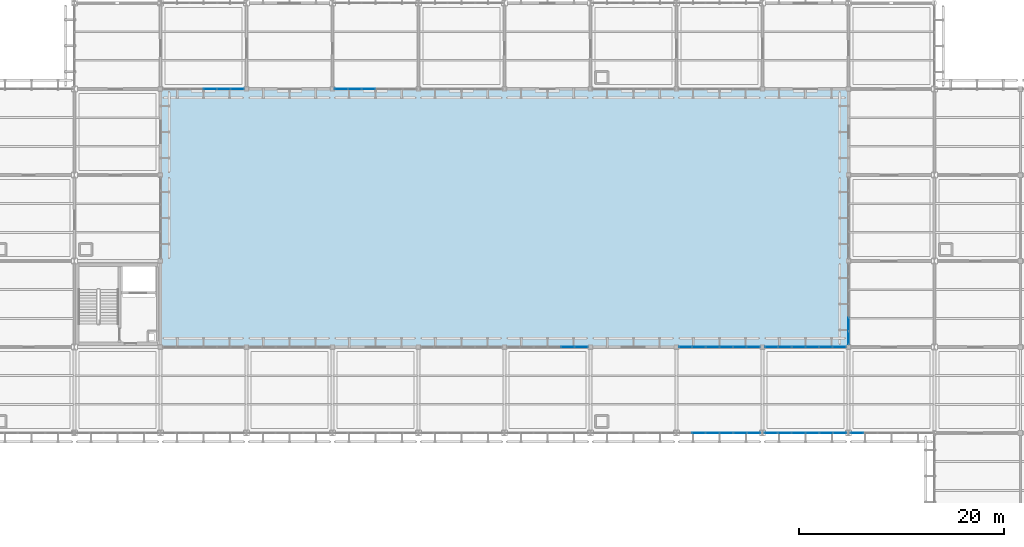
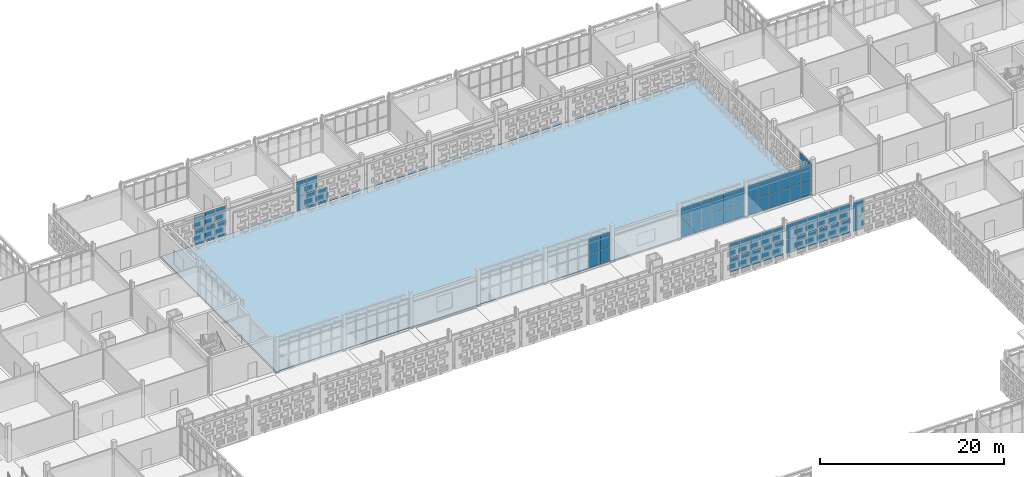
# One storey, part 99 of 203: 67 plates, 1 slab, 9 elements without a shape of their own.
"""IFC4 building model written with IfcOpenShell, lengths in metres."""

from ifc_helpers import new_model, si_unit, direction, frame, origin, origin_2d, place, context, subcontext, project, spatial, polyline, rectangle, outline, extrude, material, layer, layer_set, type_object, element, aggregate, save


model = new_model("IFC4")

# Units and contexts
model_context = context("Model", 3, precision=1e-05, world=origin(), true_north=direction((0.0, 1.0)))
body_context = subcontext(model_context, "Body", "Model", "MODEL_VIEW")
ifc_project = project(units=[si_unit("LENGTHUNIT", "METRE"), si_unit("AREAUNIT", "SQUARE_METRE"), si_unit("VOLUMEUNIT", "CUBIC_METRE"), si_unit("PLANEANGLEUNIT", "RADIAN"), si_unit("MASSUNIT", "GRAM", prefix="KILO")], contexts=[model_context])

# Site, building, storey
site_placement = place(None, origin())
site = spatial("IfcSite", under=ifc_project, at=site_placement, CompositionType="ELEMENT")
building_placement = place(site_placement, origin())
building = spatial("IfcBuilding", under=site, at=building_placement, Name="Varnapada Polytechnic", CompositionType="ELEMENT")
storey_placement = place(building_placement, frame((0.0, 0.0, 4.800048828125)))
storey = spatial("IfcBuildingStorey", under=building, at=storey_placement, Name="L01", CompositionType="ELEMENT", Elevation=4.800048828125)

# Curtain wall, plates
ifc_material_1 = material(Name="Double low-E laminated glass", Category="glass")
ifc_layer_1 = layer(ifc_material_1, 0.159912109375)
ifc_layer_set_1 = layer_set([ifc_layer_1], Name="Double low-E laminated glass")
curtain_wall_type_1 = type_object("IfcCurtainWallType", Name="Curtain Wall CW-02", PredefinedType="NOTDEFINED", material=ifc_layer_set_1)
curtain_wall_1_placement = place(storey_placement, origin())
curtain_wall_1 = element("IfcCurtainWall", 1, at=curtain_wall_1_placement, inside=storey, type_object=curtain_wall_type_1, Name="L01 unitised curtain wall CW-02 (59)", PredefinedType="NOTDEFINED")
ifc_layer_2 = layer(ifc_material_1, 0.028076171875)
ifc_layer_set_2 = layer_set([ifc_layer_2], Name="Double low-E laminated glass")
plate_type = type_object("IfcPlateType", Name="Curtain Panel PNL-01", PredefinedType="CURTAIN_PANEL", material=ifc_layer_set_2)
plate_1_placement = place(storey_placement, frame((66.31005859375, 117.60009765625, 0.06005859375), z_axis=(0.0, 0.0, 1.0), x_axis=(-1.0, 0.0, 0.0)))
plate_1 = element("IfcPlate", 2, at=plate_1_placement, type_object=plate_type, Name="CW-02 panel 1.1", PredefinedType="CURTAIN_PANEL", context=body_context, shape_type="SweptSolid", body=[
    extrude(rectangle(XDim=1.239990234375, YDim=0.028076171875, at=origin_2d()), origin(), (0.0, 0.0, 1.0), 1.810791015625),
])
plate_2_placement = place(storey_placement, frame((66.31005859375, 117.60009765625, 1.9306640625), z_axis=(0.0, 0.0, 1.0), x_axis=(-1.0, 0.0, 0.0)))
plate_2 = element("IfcPlate", 3, at=plate_2_placement, type_object=plate_type, Name="CW-02 panel 1.2", PredefinedType="CURTAIN_PANEL", context=body_context, shape_type="SweptSolid", body=[
    extrude(rectangle(XDim=1.239990234375, YDim=0.028076171875, at=origin_2d()), origin(), (0.0, 0.0, 1.0), 1.96923828125),
])
plate_3_placement = place(storey_placement, frame((64.9951171875, 117.60009765625, 0.06005859375), z_axis=(0.0, 0.0, 1.0), x_axis=(-1.0, 0.0, 0.0)))
plate_3 = element("IfcPlate", 4, at=plate_3_placement, type_object=plate_type, Name="CW-02 panel 2.1", PredefinedType="CURTAIN_PANEL", context=body_context, shape_type="SweptSolid", body=[
    extrude(rectangle(XDim=1.27001953125, YDim=0.028076171875, at=origin_2d()), origin(), (0.0, 0.0, 1.0), 1.810791015625),
])
plate_4_placement = place(storey_placement, frame((64.9951171875, 117.60009765625, 1.9306640625), z_axis=(0.0, 0.0, 1.0), x_axis=(-1.0, 0.0, 0.0)))
plate_4 = element("IfcPlate", 5, at=plate_4_placement, type_object=plate_type, Name="CW-02 panel 2.2", PredefinedType="CURTAIN_PANEL", context=body_context, shape_type="SweptSolid", body=[
    extrude(rectangle(XDim=1.27001953125, YDim=0.028076171875, at=origin_2d()), origin(), (0.0, 0.0, 1.0), 1.96923828125),
])
plate_5_placement = place(storey_placement, frame((63.6650390625, 117.60009765625, 0.06005859375), z_axis=(0.0, 0.0, 1.0), x_axis=(-1.0, 0.0, 0.0)))
plate_5 = element("IfcPlate", 6, at=plate_5_placement, type_object=plate_type, Name="CW-02 panel 3.1", PredefinedType="CURTAIN_PANEL", context=body_context, shape_type="SweptSolid", body=[
    extrude(rectangle(XDim=1.27001953125, YDim=0.028076171875, at=origin_2d()), origin(), (0.0, 0.0, 1.0), 1.810791015625),
])
plate_6_placement = place(storey_placement, frame((63.6650390625, 117.60009765625, 1.9306640625), z_axis=(0.0, 0.0, 1.0), x_axis=(-1.0, 0.0, 0.0)))
plate_6 = element("IfcPlate", 7, at=plate_6_placement, type_object=plate_type, Name="CW-02 panel 3.2", PredefinedType="CURTAIN_PANEL", context=body_context, shape_type="SweptSolid", body=[
    extrude(rectangle(XDim=1.27001953125, YDim=0.028076171875, at=origin_2d()), origin(), (0.0, 0.0, 1.0), 1.96923828125),
])
aggregate(curtain_wall_1, [plate_1, plate_2, plate_3, plate_4, plate_5, plate_6])

curtain_wall_2_placement = place(storey_placement, origin())
curtain_wall_2 = element("IfcCurtainWall", 8, at=curtain_wall_2_placement, inside=storey, type_object=curtain_wall_type_1, Name="L01 unitised curtain wall CW-02 (67)", PredefinedType="NOTDEFINED")
plate_7_placement = place(storey_placement, frame((79.1298828125, 117.60009765625, 0.06005859375), z_axis=(0.0, 0.0, 1.0), x_axis=(-1.0, 0.0, 0.0)))
plate_7 = element("IfcPlate", 9, at=plate_7_placement, type_object=plate_type, Name="CW-02 panel 4.1", PredefinedType="CURTAIN_PANEL", context=body_context, shape_type="SweptSolid", body=[
    extrude(rectangle(XDim=1.280029296875, YDim=0.028076171875, at=origin_2d()), origin(), (0.0, 0.0, 1.0), 1.810791015625),
])
plate_8_placement = place(storey_placement, frame((77.7900390625, 117.60009765625, 0.06005859375), z_axis=(0.0, 0.0, 1.0), x_axis=(-1.0, 0.0, 0.0)))
plate_8 = element("IfcPlate", 10, at=plate_8_placement, type_object=plate_type, Name="CW-02 panel 5.1", PredefinedType="CURTAIN_PANEL", context=body_context, shape_type="SweptSolid", body=[
    extrude(rectangle(XDim=1.280029296875, YDim=0.028076171875, at=origin_2d()), origin(), (0.0, 0.0, 1.0), 1.810791015625),
])
plate_9_placement = place(storey_placement, frame((77.7900390625, 117.60009765625, 1.9306640625), z_axis=(0.0, 0.0, 1.0), x_axis=(-1.0, 0.0, 0.0)))
plate_9 = element("IfcPlate", 11, at=plate_9_placement, type_object=plate_type, Name="CW-02 panel 5.2", PredefinedType="CURTAIN_PANEL", context=body_context, shape_type="SweptSolid", body=[
    extrude(rectangle(XDim=1.280029296875, YDim=0.028076171875, at=origin_2d()), origin(), (0.0, 0.0, 1.0), 1.96923828125),
])
plate_10_placement = place(storey_placement, frame((76.465087890625, 117.60009765625, 0.06005859375), z_axis=(0.0, 0.0, 1.0), x_axis=(-1.0, 0.0, 0.0)))
plate_10 = element("IfcPlate", 12, at=plate_10_placement, type_object=plate_type, Name="CW-02 panel 6.1", PredefinedType="CURTAIN_PANEL", context=body_context, shape_type="SweptSolid", body=[
    extrude(rectangle(XDim=1.25, YDim=0.028076171875, at=origin_2d()), origin(), (0.0, 0.0, 1.0), 1.810791015625),
])
plate_11_placement = place(storey_placement, frame((76.465087890625, 117.60009765625, 1.9306640625), z_axis=(0.0, 0.0, 1.0), x_axis=(-1.0, 0.0, 0.0)))
plate_11 = element("IfcPlate", 13, at=plate_11_placement, type_object=plate_type, Name="CW-02 panel 6.2", PredefinedType="CURTAIN_PANEL", context=body_context, shape_type="SweptSolid", body=[
    extrude(rectangle(XDim=1.25, YDim=0.028076171875, at=origin_2d()), origin(), (0.0, 0.0, 1.0), 1.96923828125),
])
aggregate(curtain_wall_2, [plate_7, plate_8, plate_9, plate_10, plate_11])

curtain_wall_3_placement = place(storey_placement, origin())
curtain_wall_3 = element("IfcCurtainWall", 14, at=curtain_wall_3_placement, inside=storey, type_object=curtain_wall_type_1, Name="L01 unitised curtain wall CW-02 (77)", PredefinedType="NOTDEFINED")
plate_12_placement = place(storey_placement, frame((98.594970703125, 92.39990234375, 0.06005859375), z_axis=(0.0, 0.0, 1.0), x_axis=(1.0, 0.0, 0.0)))
plate_12 = element("IfcPlate", 15, at=plate_12_placement, type_object=plate_type, Name="CW-02 panel 5.1", PredefinedType="CURTAIN_PANEL", context=body_context, shape_type="SweptSolid", body=[
    extrude(rectangle(XDim=1.27001953125, YDim=0.028076171875, at=origin_2d()), origin(), (0.0, 0.0, 1.0), 1.810791015625),
])
plate_13_placement = place(storey_placement, frame((98.594970703125, 92.39990234375, 1.9306640625), z_axis=(0.0, 0.0, 1.0), x_axis=(1.0, 0.0, 0.0)))
plate_13 = element("IfcPlate", 16, at=plate_13_placement, type_object=plate_type, Name="CW-02 panel 5.2", PredefinedType="CURTAIN_PANEL", context=body_context, shape_type="SweptSolid", body=[
    extrude(rectangle(XDim=1.27001953125, YDim=0.028076171875, at=origin_2d()), origin(), (0.0, 0.0, 1.0), 1.96923828125),
])
plate_14_placement = place(storey_placement, frame((99.909912109375, 92.39990234375, 0.06005859375), z_axis=(0.0, 0.0, 1.0), x_axis=(1.0, 0.0, 0.0)))
plate_14 = element("IfcPlate", 17, at=plate_14_placement, type_object=plate_type, Name="CW-02 panel 6.1", PredefinedType="CURTAIN_PANEL", context=body_context, shape_type="SweptSolid", body=[
    extrude(rectangle(XDim=1.239990234375, YDim=0.028076171875, at=origin_2d()), origin(), (0.0, 0.0, 1.0), 1.810791015625),
])
plate_15_placement = place(storey_placement, frame((99.909912109375, 92.39990234375, 1.9306640625), z_axis=(0.0, 0.0, 1.0), x_axis=(1.0, 0.0, 0.0)))
plate_15 = element("IfcPlate", 18, at=plate_15_placement, type_object=plate_type, Name="CW-02 panel 6.2", PredefinedType="CURTAIN_PANEL", context=body_context, shape_type="SweptSolid", body=[
    extrude(rectangle(XDim=1.239990234375, YDim=0.028076171875, at=origin_2d()), origin(), (0.0, 0.0, 1.0), 1.96923828125),
])
aggregate(curtain_wall_3, [plate_12, plate_13, plate_14, plate_15])

ifc_layer_3 = layer(ifc_material_1, 0.159912109375)
ifc_layer_set_3 = layer_set([ifc_layer_3], Name="Double low-E laminated glass")
curtain_wall_type_2 = type_object("IfcCurtainWallType", Name="Curtain Wall CW-01", PredefinedType="NOTDEFINED", material=ifc_layer_set_3)
curtain_wall_4_placement = place(storey_placement, origin())
curtain_wall_4 = element("IfcCurtainWall", 19, at=curtain_wall_4_placement, inside=storey, type_object=curtain_wall_type_2, Name="L01 unitised curtain wall CW-01 (85)", PredefinedType="NOTDEFINED")
plate_16_placement = place(storey_placement, frame((116.760009765625, 84.0, 0.06005859375), z_axis=(0.0, 0.0, 1.0), x_axis=(-1.0, 0.0, 0.0)))
plate_16 = element("IfcPlate", 20, at=plate_16_placement, type_object=plate_type, Name="CW-01 panel 1.1", PredefinedType="CURTAIN_PANEL", context=body_context, shape_type="SweptSolid", body=[
    extrude(rectangle(XDim=1.260009765625, YDim=0.028076171875, at=origin_2d()), origin(), (0.0, 0.0, 1.0), 1.810791015625),
])
plate_17_placement = place(storey_placement, frame((116.760009765625, 84.0, 1.9306640625), z_axis=(0.0, 0.0, 1.0), x_axis=(-1.0, 0.0, 0.0)))
plate_17 = element("IfcPlate", 21, at=plate_17_placement, type_object=plate_type, Name="CW-01 panel 1.2", PredefinedType="CURTAIN_PANEL", context=body_context, shape_type="SweptSolid", body=[
    extrude(rectangle(XDim=1.260009765625, YDim=0.028076171875, at=origin_2d()), origin(), (0.0, 0.0, 1.0), 1.96923828125),
])
plate_18_placement = place(storey_placement, frame((115.425048828125, 84.0, 0.06005859375), z_axis=(0.0, 0.0, 1.0), x_axis=(-1.0, 0.0, 0.0)))
plate_18 = element("IfcPlate", 22, at=plate_18_placement, type_object=plate_type, Name="CW-01 panel 2.1", PredefinedType="CURTAIN_PANEL", context=body_context, shape_type="SweptSolid", body=[
    extrude(rectangle(XDim=1.2900390625, YDim=0.028076171875, at=origin_2d()), origin(), (0.0, 0.0, 1.0), 1.810791015625),
])
plate_19_placement = place(storey_placement, frame((115.425048828125, 84.0, 1.9306640625), z_axis=(0.0, 0.0, 1.0), x_axis=(-1.0, 0.0, 0.0)))
plate_19 = element("IfcPlate", 23, at=plate_19_placement, type_object=plate_type, Name="CW-01 panel 2.2", PredefinedType="CURTAIN_PANEL", context=body_context, shape_type="SweptSolid", body=[
    extrude(rectangle(XDim=1.2900390625, YDim=0.028076171875, at=origin_2d()), origin(), (0.0, 0.0, 1.0), 1.96923828125),
])
plate_20_placement = place(storey_placement, frame((114.074951171875, 84.0, 0.06005859375), z_axis=(0.0, 0.0, 1.0), x_axis=(-1.0, 0.0, 0.0)))
plate_20 = element("IfcPlate", 24, at=plate_20_placement, type_object=plate_type, Name="CW-01 panel 3.1", PredefinedType="CURTAIN_PANEL", context=body_context, shape_type="SweptSolid", body=[
    extrude(rectangle(XDim=1.2900390625, YDim=0.028076171875, at=origin_2d()), origin(), (0.0, 0.0, 1.0), 1.810791015625),
])
plate_21_placement = place(storey_placement, frame((114.074951171875, 84.0, 1.9306640625), z_axis=(0.0, 0.0, 1.0), x_axis=(-1.0, 0.0, 0.0)))
plate_21 = element("IfcPlate", 25, at=plate_21_placement, type_object=plate_type, Name="CW-01 panel 3.2", PredefinedType="CURTAIN_PANEL", context=body_context, shape_type="SweptSolid", body=[
    extrude(rectangle(XDim=1.2900390625, YDim=0.028076171875, at=origin_2d()), origin(), (0.0, 0.0, 1.0), 1.96923828125),
])
plate_22_placement = place(storey_placement, frame((112.72509765625, 84.0, 0.06005859375), z_axis=(0.0, 0.0, 1.0), x_axis=(-1.0, 0.0, 0.0)))
plate_22 = element("IfcPlate", 26, at=plate_22_placement, type_object=plate_type, Name="CW-01 panel 4.1", PredefinedType="CURTAIN_PANEL", context=body_context, shape_type="SweptSolid", body=[
    extrude(rectangle(XDim=1.2900390625, YDim=0.028076171875, at=origin_2d()), origin(), (0.0, 0.0, 1.0), 1.810791015625),
])
plate_23_placement = place(storey_placement, frame((112.72509765625, 84.0, 1.9306640625), z_axis=(0.0, 0.0, 1.0), x_axis=(-1.0, 0.0, 0.0)))
plate_23 = element("IfcPlate", 27, at=plate_23_placement, type_object=plate_type, Name="CW-01 panel 4.2", PredefinedType="CURTAIN_PANEL", context=body_context, shape_type="SweptSolid", body=[
    extrude(rectangle(XDim=1.2900390625, YDim=0.028076171875, at=origin_2d()), origin(), (0.0, 0.0, 1.0), 1.96923828125),
])
plate_24_placement = place(storey_placement, frame((111.375, 84.0, 0.06005859375), z_axis=(0.0, 0.0, 1.0), x_axis=(-1.0, 0.0, 0.0)))
plate_24 = element("IfcPlate", 28, at=plate_24_placement, type_object=plate_type, Name="CW-01 panel 5.1", PredefinedType="CURTAIN_PANEL", context=body_context, shape_type="SweptSolid", body=[
    extrude(rectangle(XDim=1.2900390625, YDim=0.028076171875, at=origin_2d()), origin(), (0.0, 0.0, 1.0), 1.810791015625),
])
plate_25_placement = place(storey_placement, frame((111.375, 84.0, 1.9306640625), z_axis=(0.0, 0.0, 1.0), x_axis=(-1.0, 0.0, 0.0)))
plate_25 = element("IfcPlate", 29, at=plate_25_placement, type_object=plate_type, Name="CW-01 panel 5.2", PredefinedType="CURTAIN_PANEL", context=body_context, shape_type="SweptSolid", body=[
    extrude(rectangle(XDim=1.2900390625, YDim=0.028076171875, at=origin_2d()), origin(), (0.0, 0.0, 1.0), 1.96923828125),
])
aggregate(curtain_wall_4, [plate_16, plate_17, plate_18, plate_19, plate_20, plate_21, plate_22, plate_23, plate_24, plate_25])

curtain_wall_5_placement = place(storey_placement, origin())
curtain_wall_5 = element("IfcCurtainWall", 30, at=curtain_wall_5_placement, inside=storey, type_object=curtain_wall_type_1, Name="L01 unitised curtain wall CW-02 (86)", PredefinedType="NOTDEFINED")
plate_26_placement = place(storey_placement, frame((110.090087890625, 92.39990234375, 0.06005859375), z_axis=(0.0, 0.0, 1.0), x_axis=(1.0, 0.0, 0.0)))
plate_26 = element("IfcPlate", 31, at=plate_26_placement, type_object=plate_type, Name="CW-02 panel 1.1", PredefinedType="CURTAIN_PANEL", context=body_context, shape_type="SweptSolid", body=[
    extrude(rectangle(XDim=1.239990234375, YDim=0.028076171875, at=origin_2d()), origin(), (0.0, 0.0, 1.0), 1.810791015625),
])
plate_27_placement = place(storey_placement, frame((110.090087890625, 92.39990234375, 1.9306640625), z_axis=(0.0, 0.0, 1.0), x_axis=(1.0, 0.0, 0.0)))
plate_27 = element("IfcPlate", 32, at=plate_27_placement, type_object=plate_type, Name="CW-02 panel 1.2", PredefinedType="CURTAIN_PANEL", context=body_context, shape_type="SweptSolid", body=[
    extrude(rectangle(XDim=1.239990234375, YDim=0.028076171875, at=origin_2d()), origin(), (0.0, 0.0, 1.0), 1.96923828125),
])
plate_28_placement = place(storey_placement, frame((111.405029296875, 92.39990234375, 0.06005859375), z_axis=(0.0, 0.0, 1.0), x_axis=(1.0, 0.0, 0.0)))
plate_28 = element("IfcPlate", 33, at=plate_28_placement, type_object=plate_type, Name="CW-02 panel 2.1", PredefinedType="CURTAIN_PANEL", context=body_context, shape_type="SweptSolid", body=[
    extrude(rectangle(XDim=1.27001953125, YDim=0.028076171875, at=origin_2d()), origin(), (0.0, 0.0, 1.0), 1.810791015625),
])
plate_29_placement = place(storey_placement, frame((111.405029296875, 92.39990234375, 1.9306640625), z_axis=(0.0, 0.0, 1.0), x_axis=(1.0, 0.0, 0.0)))
plate_29 = element("IfcPlate", 34, at=plate_29_placement, type_object=plate_type, Name="CW-02 panel 2.2", PredefinedType="CURTAIN_PANEL", context=body_context, shape_type="SweptSolid", body=[
    extrude(rectangle(XDim=1.27001953125, YDim=0.028076171875, at=origin_2d()), origin(), (0.0, 0.0, 1.0), 1.96923828125),
])
plate_30_placement = place(storey_placement, frame((112.735107421875, 92.39990234375, 0.06005859375), z_axis=(0.0, 0.0, 1.0), x_axis=(1.0, 0.0, 0.0)))
plate_30 = element("IfcPlate", 35, at=plate_30_placement, type_object=plate_type, Name="CW-02 panel 3.1", PredefinedType="CURTAIN_PANEL", context=body_context, shape_type="SweptSolid", body=[
    extrude(rectangle(XDim=1.27001953125, YDim=0.028076171875, at=origin_2d()), origin(), (0.0, 0.0, 1.0), 1.810791015625),
])
plate_31_placement = place(storey_placement, frame((112.735107421875, 92.39990234375, 1.9306640625), z_axis=(0.0, 0.0, 1.0), x_axis=(1.0, 0.0, 0.0)))
plate_31 = element("IfcPlate", 36, at=plate_31_placement, type_object=plate_type, Name="CW-02 panel 3.2", PredefinedType="CURTAIN_PANEL", context=body_context, shape_type="SweptSolid", body=[
    extrude(rectangle(XDim=1.27001953125, YDim=0.028076171875, at=origin_2d()), origin(), (0.0, 0.0, 1.0), 1.96923828125),
])
plate_32_placement = place(storey_placement, frame((114.06494140625, 92.39990234375, 0.06005859375), z_axis=(0.0, 0.0, 1.0), x_axis=(1.0, 0.0, 0.0)))
plate_32 = element("IfcPlate", 37, at=plate_32_placement, type_object=plate_type, Name="CW-02 panel 4.1", PredefinedType="CURTAIN_PANEL", context=body_context, shape_type="SweptSolid", body=[
    extrude(rectangle(XDim=1.27001953125, YDim=0.028076171875, at=origin_2d()), origin(), (0.0, 0.0, 1.0), 1.810791015625),
])
plate_33_placement = place(storey_placement, frame((114.06494140625, 92.39990234375, 1.9306640625), z_axis=(0.0, 0.0, 1.0), x_axis=(1.0, 0.0, 0.0)))
plate_33 = element("IfcPlate", 38, at=plate_33_placement, type_object=plate_type, Name="CW-02 panel 4.2", PredefinedType="CURTAIN_PANEL", context=body_context, shape_type="SweptSolid", body=[
    extrude(rectangle(XDim=1.27001953125, YDim=0.028076171875, at=origin_2d()), origin(), (0.0, 0.0, 1.0), 1.96923828125),
])
plate_34_placement = place(storey_placement, frame((115.39501953125, 92.39990234375, 0.06005859375), z_axis=(0.0, 0.0, 1.0), x_axis=(1.0, 0.0, 0.0)))
plate_34 = element("IfcPlate", 39, at=plate_34_placement, type_object=plate_type, Name="CW-02 panel 5.1", PredefinedType="CURTAIN_PANEL", context=body_context, shape_type="SweptSolid", body=[
    extrude(rectangle(XDim=1.27001953125, YDim=0.028076171875, at=origin_2d()), origin(), (0.0, 0.0, 1.0), 1.810791015625),
])
plate_35_placement = place(storey_placement, frame((115.39501953125, 92.39990234375, 1.9306640625), z_axis=(0.0, 0.0, 1.0), x_axis=(1.0, 0.0, 0.0)))
plate_35 = element("IfcPlate", 40, at=plate_35_placement, type_object=plate_type, Name="CW-02 panel 5.2", PredefinedType="CURTAIN_PANEL", context=body_context, shape_type="SweptSolid", body=[
    extrude(rectangle(XDim=1.27001953125, YDim=0.028076171875, at=origin_2d()), origin(), (0.0, 0.0, 1.0), 1.96923828125),
])
plate_36_placement = place(storey_placement, frame((116.7099609375, 92.39990234375, 0.06005859375), z_axis=(0.0, 0.0, 1.0), x_axis=(1.0, 0.0, 0.0)))
plate_36 = element("IfcPlate", 41, at=plate_36_placement, type_object=plate_type, Name="CW-02 panel 6.1", PredefinedType="CURTAIN_PANEL", context=body_context, shape_type="SweptSolid", body=[
    extrude(rectangle(XDim=1.239990234375, YDim=0.028076171875, at=origin_2d()), origin(), (0.0, 0.0, 1.0), 1.810791015625),
])
plate_37_placement = place(storey_placement, frame((116.7099609375, 92.39990234375, 1.9306640625), z_axis=(0.0, 0.0, 1.0), x_axis=(1.0, 0.0, 0.0)))
plate_37 = element("IfcPlate", 42, at=plate_37_placement, type_object=plate_type, Name="CW-02 panel 6.2", PredefinedType="CURTAIN_PANEL", context=body_context, shape_type="SweptSolid", body=[
    extrude(rectangle(XDim=1.239990234375, YDim=0.028076171875, at=origin_2d()), origin(), (0.0, 0.0, 1.0), 1.96923828125),
])
aggregate(curtain_wall_5, [plate_26, plate_27, plate_28, plate_29, plate_30, plate_31, plate_32, plate_33, plate_34, plate_35, plate_36, plate_37])

curtain_wall_6_placement = place(storey_placement, origin())
curtain_wall_6 = element("IfcCurtainWall", 43, at=curtain_wall_6_placement, inside=storey, type_object=curtain_wall_type_2, Name="L01 unitised curtain wall CW-01 (90)", PredefinedType="NOTDEFINED")
plate_38_placement = place(storey_placement, frame((125.159912109375, 84.0, 0.06005859375), z_axis=(0.0, 0.0, 1.0), x_axis=(-1.0, 0.0, 0.0)))
plate_38 = element("IfcPlate", 44, at=plate_38_placement, type_object=plate_type, Name="CW-01 panel 1.1", PredefinedType="CURTAIN_PANEL", context=body_context, shape_type="SweptSolid", body=[
    extrude(rectangle(XDim=1.260009765625, YDim=0.028076171875, at=origin_2d()), origin(), (0.0, 0.0, 1.0), 1.810791015625),
])
plate_39_placement = place(storey_placement, frame((125.159912109375, 84.0, 1.9306640625), z_axis=(0.0, 0.0, 1.0), x_axis=(-1.0, 0.0, 0.0)))
plate_39 = element("IfcPlate", 45, at=plate_39_placement, type_object=plate_type, Name="CW-01 panel 1.2", PredefinedType="CURTAIN_PANEL", context=body_context, shape_type="SweptSolid", body=[
    extrude(rectangle(XDim=1.260009765625, YDim=0.028076171875, at=origin_2d()), origin(), (0.0, 0.0, 1.0), 1.96923828125),
])
plate_40_placement = place(storey_placement, frame((123.824951171875, 84.0, 0.06005859375), z_axis=(0.0, 0.0, 1.0), x_axis=(-1.0, 0.0, 0.0)))
plate_40 = element("IfcPlate", 46, at=plate_40_placement, type_object=plate_type, Name="CW-01 panel 2.1", PredefinedType="CURTAIN_PANEL", context=body_context, shape_type="SweptSolid", body=[
    extrude(rectangle(XDim=1.2900390625, YDim=0.028076171875, at=origin_2d()), origin(), (0.0, 0.0, 1.0), 1.810791015625),
])
plate_41_placement = place(storey_placement, frame((123.824951171875, 84.0, 1.9306640625), z_axis=(0.0, 0.0, 1.0), x_axis=(-1.0, 0.0, 0.0)))
plate_41 = element("IfcPlate", 47, at=plate_41_placement, type_object=plate_type, Name="CW-01 panel 2.2", PredefinedType="CURTAIN_PANEL", context=body_context, shape_type="SweptSolid", body=[
    extrude(rectangle(XDim=1.2900390625, YDim=0.028076171875, at=origin_2d()), origin(), (0.0, 0.0, 1.0), 1.96923828125),
])
plate_42_placement = place(storey_placement, frame((122.47509765625, 84.0, 0.06005859375), z_axis=(0.0, 0.0, 1.0), x_axis=(-1.0, 0.0, 0.0)))
plate_42 = element("IfcPlate", 48, at=plate_42_placement, type_object=plate_type, Name="CW-01 panel 3.1", PredefinedType="CURTAIN_PANEL", context=body_context, shape_type="SweptSolid", body=[
    extrude(rectangle(XDim=1.2900390625, YDim=0.028076171875, at=origin_2d()), origin(), (0.0, 0.0, 1.0), 1.810791015625),
])
plate_43_placement = place(storey_placement, frame((122.47509765625, 84.0, 1.9306640625), z_axis=(0.0, 0.0, 1.0), x_axis=(-1.0, 0.0, 0.0)))
plate_43 = element("IfcPlate", 49, at=plate_43_placement, type_object=plate_type, Name="CW-01 panel 3.2", PredefinedType="CURTAIN_PANEL", context=body_context, shape_type="SweptSolid", body=[
    extrude(rectangle(XDim=1.2900390625, YDim=0.028076171875, at=origin_2d()), origin(), (0.0, 0.0, 1.0), 1.96923828125),
])
plate_44_placement = place(storey_placement, frame((121.125, 84.0, 0.06005859375), z_axis=(0.0, 0.0, 1.0), x_axis=(-1.0, 0.0, 0.0)))
plate_44 = element("IfcPlate", 50, at=plate_44_placement, type_object=plate_type, Name="CW-01 panel 4.1", PredefinedType="CURTAIN_PANEL", context=body_context, shape_type="SweptSolid", body=[
    extrude(rectangle(XDim=1.2900390625, YDim=0.028076171875, at=origin_2d()), origin(), (0.0, 0.0, 1.0), 1.810791015625),
])
plate_45_placement = place(storey_placement, frame((121.125, 84.0, 1.9306640625), z_axis=(0.0, 0.0, 1.0), x_axis=(-1.0, 0.0, 0.0)))
plate_45 = element("IfcPlate", 51, at=plate_45_placement, type_object=plate_type, Name="CW-01 panel 4.2", PredefinedType="CURTAIN_PANEL", context=body_context, shape_type="SweptSolid", body=[
    extrude(rectangle(XDim=1.2900390625, YDim=0.028076171875, at=origin_2d()), origin(), (0.0, 0.0, 1.0), 1.96923828125),
])
plate_46_placement = place(storey_placement, frame((119.77490234375, 84.0, 0.06005859375), z_axis=(0.0, 0.0, 1.0), x_axis=(-1.0, 0.0, 0.0)))
plate_46 = element("IfcPlate", 52, at=plate_46_placement, type_object=plate_type, Name="CW-01 panel 5.1", PredefinedType="CURTAIN_PANEL", context=body_context, shape_type="SweptSolid", body=[
    extrude(rectangle(XDim=1.2900390625, YDim=0.028076171875, at=origin_2d()), origin(), (0.0, 0.0, 1.0), 1.810791015625),
])
plate_47_placement = place(storey_placement, frame((119.77490234375, 84.0, 1.9306640625), z_axis=(0.0, 0.0, 1.0), x_axis=(-1.0, 0.0, 0.0)))
plate_47 = element("IfcPlate", 53, at=plate_47_placement, type_object=plate_type, Name="CW-01 panel 5.2", PredefinedType="CURTAIN_PANEL", context=body_context, shape_type="SweptSolid", body=[
    extrude(rectangle(XDim=1.2900390625, YDim=0.028076171875, at=origin_2d()), origin(), (0.0, 0.0, 1.0), 1.96923828125),
])
plate_48_placement = place(storey_placement, frame((118.43994140625, 84.0, 0.06005859375), z_axis=(0.0, 0.0, 1.0), x_axis=(-1.0, 0.0, 0.0)))
plate_48 = element("IfcPlate", 54, at=plate_48_placement, type_object=plate_type, Name="CW-01 panel 6.1", PredefinedType="CURTAIN_PANEL", context=body_context, shape_type="SweptSolid", body=[
    extrude(rectangle(XDim=1.260009765625, YDim=0.028076171875, at=origin_2d()), origin(), (0.0, 0.0, 1.0), 1.810791015625),
])
plate_49_placement = place(storey_placement, frame((118.43994140625, 84.0, 1.9306640625), z_axis=(0.0, 0.0, 1.0), x_axis=(-1.0, 0.0, 0.0)))
plate_49 = element("IfcPlate", 55, at=plate_49_placement, type_object=plate_type, Name="CW-01 panel 6.2", PredefinedType="CURTAIN_PANEL", context=body_context, shape_type="SweptSolid", body=[
    extrude(rectangle(XDim=1.260009765625, YDim=0.028076171875, at=origin_2d()), origin(), (0.0, 0.0, 1.0), 1.96923828125),
])
aggregate(curtain_wall_6, [plate_38, plate_39, plate_40, plate_41, plate_42, plate_43, plate_44, plate_45, plate_46, plate_47, plate_48, plate_49])

curtain_wall_7_placement = place(storey_placement, origin())
curtain_wall_7 = element("IfcCurtainWall", 56, at=curtain_wall_7_placement, inside=storey, type_object=curtain_wall_type_1, Name="L01 unitised curtain wall CW-02 (91)", PredefinedType="NOTDEFINED")
plate_50_placement = place(storey_placement, frame((118.489990234375, 92.39990234375, 0.06005859375), z_axis=(0.0, 0.0, 1.0), x_axis=(1.0, 0.0, 0.0)))
plate_50 = element("IfcPlate", 57, at=plate_50_placement, type_object=plate_type, Name="CW-02 panel 1.1", PredefinedType="CURTAIN_PANEL", context=body_context, shape_type="SweptSolid", body=[
    extrude(rectangle(XDim=1.239990234375, YDim=0.028076171875, at=origin_2d()), origin(), (0.0, 0.0, 1.0), 1.810791015625),
])
plate_51_placement = place(storey_placement, frame((118.489990234375, 92.39990234375, 1.9306640625), z_axis=(0.0, 0.0, 1.0), x_axis=(1.0, 0.0, 0.0)))
plate_51 = element("IfcPlate", 58, at=plate_51_placement, type_object=plate_type, Name="CW-02 panel 1.2", PredefinedType="CURTAIN_PANEL", context=body_context, shape_type="SweptSolid", body=[
    extrude(rectangle(XDim=1.239990234375, YDim=0.028076171875, at=origin_2d()), origin(), (0.0, 0.0, 1.0), 1.96923828125),
])
plate_52_placement = place(storey_placement, frame((119.804931640625, 92.39990234375, 0.06005859375), z_axis=(0.0, 0.0, 1.0), x_axis=(1.0, 0.0, 0.0)))
plate_52 = element("IfcPlate", 59, at=plate_52_placement, type_object=plate_type, Name="CW-02 panel 2.1", PredefinedType="CURTAIN_PANEL", context=body_context, shape_type="SweptSolid", body=[
    extrude(rectangle(XDim=1.27001953125, YDim=0.028076171875, at=origin_2d()), origin(), (0.0, 0.0, 1.0), 1.810791015625),
])
plate_53_placement = place(storey_placement, frame((119.804931640625, 92.39990234375, 1.9306640625), z_axis=(0.0, 0.0, 1.0), x_axis=(1.0, 0.0, 0.0)))
plate_53 = element("IfcPlate", 60, at=plate_53_placement, type_object=plate_type, Name="CW-02 panel 2.2", PredefinedType="CURTAIN_PANEL", context=body_context, shape_type="SweptSolid", body=[
    extrude(rectangle(XDim=1.27001953125, YDim=0.028076171875, at=origin_2d()), origin(), (0.0, 0.0, 1.0), 1.96923828125),
])
plate_54_placement = place(storey_placement, frame((121.135009765625, 92.39990234375, 0.06005859375), z_axis=(0.0, 0.0, 1.0), x_axis=(1.0, 0.0, 0.0)))
plate_54 = element("IfcPlate", 61, at=plate_54_placement, type_object=plate_type, Name="CW-02 panel 3.1", PredefinedType="CURTAIN_PANEL", context=body_context, shape_type="SweptSolid", body=[
    extrude(rectangle(XDim=1.27001953125, YDim=0.028076171875, at=origin_2d()), origin(), (0.0, 0.0, 1.0), 1.810791015625),
])
plate_55_placement = place(storey_placement, frame((121.135009765625, 92.39990234375, 1.9306640625), z_axis=(0.0, 0.0, 1.0), x_axis=(1.0, 0.0, 0.0)))
plate_55 = element("IfcPlate", 62, at=plate_55_placement, type_object=plate_type, Name="CW-02 panel 3.2", PredefinedType="CURTAIN_PANEL", context=body_context, shape_type="SweptSolid", body=[
    extrude(rectangle(XDim=1.27001953125, YDim=0.028076171875, at=origin_2d()), origin(), (0.0, 0.0, 1.0), 1.96923828125),
])
plate_56_placement = place(storey_placement, frame((122.465087890625, 92.39990234375, 0.06005859375), z_axis=(0.0, 0.0, 1.0), x_axis=(1.0, 0.0, 0.0)))
plate_56 = element("IfcPlate", 63, at=plate_56_placement, type_object=plate_type, Name="CW-02 panel 4.1", PredefinedType="CURTAIN_PANEL", context=body_context, shape_type="SweptSolid", body=[
    extrude(rectangle(XDim=1.27001953125, YDim=0.028076171875, at=origin_2d()), origin(), (0.0, 0.0, 1.0), 1.810791015625),
])
plate_57_placement = place(storey_placement, frame((122.465087890625, 92.39990234375, 1.9306640625), z_axis=(0.0, 0.0, 1.0), x_axis=(1.0, 0.0, 0.0)))
plate_57 = element("IfcPlate", 64, at=plate_57_placement, type_object=plate_type, Name="CW-02 panel 4.2", PredefinedType="CURTAIN_PANEL", context=body_context, shape_type="SweptSolid", body=[
    extrude(rectangle(XDim=1.27001953125, YDim=0.028076171875, at=origin_2d()), origin(), (0.0, 0.0, 1.0), 1.96923828125),
])
plate_58_placement = place(storey_placement, frame((123.794921875, 92.39990234375, 0.06005859375), z_axis=(0.0, 0.0, 1.0), x_axis=(1.0, 0.0, 0.0)))
plate_58 = element("IfcPlate", 65, at=plate_58_placement, type_object=plate_type, Name="CW-02 panel 5.1", PredefinedType="CURTAIN_PANEL", context=body_context, shape_type="SweptSolid", body=[
    extrude(rectangle(XDim=1.27001953125, YDim=0.028076171875, at=origin_2d()), origin(), (0.0, 0.0, 1.0), 1.810791015625),
])
plate_59_placement = place(storey_placement, frame((123.794921875, 92.39990234375, 1.9306640625), z_axis=(0.0, 0.0, 1.0), x_axis=(1.0, 0.0, 0.0)))
plate_59 = element("IfcPlate", 66, at=plate_59_placement, type_object=plate_type, Name="CW-02 panel 5.2", PredefinedType="CURTAIN_PANEL", context=body_context, shape_type="SweptSolid", body=[
    extrude(rectangle(XDim=1.27001953125, YDim=0.028076171875, at=origin_2d()), origin(), (0.0, 0.0, 1.0), 1.96923828125),
])
plate_60_placement = place(storey_placement, frame((125.110107421875, 92.39990234375, 0.06005859375), z_axis=(0.0, 0.0, 1.0), x_axis=(1.0, 0.0, 0.0)))
plate_60 = element("IfcPlate", 67, at=plate_60_placement, type_object=plate_type, Name="CW-02 panel 6.1", PredefinedType="CURTAIN_PANEL", context=body_context, shape_type="SweptSolid", body=[
    extrude(rectangle(XDim=1.239990234375, YDim=0.028076171875, at=origin_2d()), origin(), (0.0, 0.0, 1.0), 1.810791015625),
])
plate_61_placement = place(storey_placement, frame((125.110107421875, 92.39990234375, 1.9306640625), z_axis=(0.0, 0.0, 1.0), x_axis=(1.0, 0.0, 0.0)))
plate_61 = element("IfcPlate", 68, at=plate_61_placement, type_object=plate_type, Name="CW-02 panel 6.2", PredefinedType="CURTAIN_PANEL", context=body_context, shape_type="SweptSolid", body=[
    extrude(rectangle(XDim=1.239990234375, YDim=0.028076171875, at=origin_2d()), origin(), (0.0, 0.0, 1.0), 1.96923828125),
])
aggregate(curtain_wall_7, [plate_50, plate_51, plate_52, plate_53, plate_54, plate_55, plate_56, plate_57, plate_58, plate_59, plate_60, plate_61])

curtain_wall_8_placement = place(storey_placement, origin())
curtain_wall_8 = element("IfcCurtainWall", 69, at=curtain_wall_8_placement, inside=storey, type_object=curtain_wall_type_2, Name="L01 unitised curtain wall CW-01 (96)", PredefinedType="NOTDEFINED")
plate_62_placement = place(storey_placement, frame((126.840087890625, 84.0, 0.06005859375), z_axis=(0.0, 0.0, 1.0), x_axis=(-1.0, 0.0, 0.0)))
plate_62 = element("IfcPlate", 70, at=plate_62_placement, type_object=plate_type, Name="CW-01 panel 6.1", PredefinedType="CURTAIN_PANEL", context=body_context, shape_type="SweptSolid", body=[
    extrude(rectangle(XDim=1.260009765625, YDim=0.028076171875, at=origin_2d()), origin(), (0.0, 0.0, 1.0), 1.810791015625),
])
plate_63_placement = place(storey_placement, frame((126.840087890625, 84.0, 1.9306640625), z_axis=(0.0, 0.0, 1.0), x_axis=(-1.0, 0.0, 0.0)))
plate_63 = element("IfcPlate", 71, at=plate_63_placement, type_object=plate_type, Name="CW-01 panel 6.2", PredefinedType="CURTAIN_PANEL", context=body_context, shape_type="SweptSolid", body=[
    extrude(rectangle(XDim=1.260009765625, YDim=0.028076171875, at=origin_2d()), origin(), (0.0, 0.0, 1.0), 1.96923828125),
])
aggregate(curtain_wall_8, [plate_62, plate_63])

curtain_wall_9_placement = place(storey_placement, origin())
curtain_wall_9 = element("IfcCurtainWall", 72, at=curtain_wall_9_placement, inside=storey, type_object=curtain_wall_type_1, Name="L01 unitised curtain wall CW-02 (97)", PredefinedType="NOTDEFINED")
plate_64_placement = place(storey_placement, frame((126.0, 93.2900390625, 0.06005859375), z_axis=(0.0, 0.0, 1.0), x_axis=(0.0, 1.0, 0.0)))
plate_64 = element("IfcPlate", 73, at=plate_64_placement, type_object=plate_type, Name="CW-02 panel 1.1", PredefinedType="CURTAIN_PANEL", context=body_context, shape_type="SweptSolid", body=[
    extrude(rectangle(XDim=1.239990234375, YDim=0.028076171875, at=origin_2d()), origin(), (0.0, 0.0, 1.0), 1.810791015625),
])
plate_65_placement = place(storey_placement, frame((126.0, 93.2900390625, 1.9306640625), z_axis=(0.0, 0.0, 1.0), x_axis=(0.0, 1.0, 0.0)))
plate_65 = element("IfcPlate", 74, at=plate_65_placement, type_object=plate_type, Name="CW-02 panel 1.2", PredefinedType="CURTAIN_PANEL", context=body_context, shape_type="SweptSolid", body=[
    extrude(rectangle(XDim=1.239990234375, YDim=0.028076171875, at=origin_2d()), origin(), (0.0, 0.0, 1.0), 1.96923828125),
])
plate_66_placement = place(storey_placement, frame((126.0, 94.60498046875, 0.06005859375), z_axis=(0.0, 0.0, 1.0), x_axis=(0.0, 1.0, 0.0)))
plate_66 = element("IfcPlate", 75, at=plate_66_placement, type_object=plate_type, Name="CW-02 panel 2.1", PredefinedType="CURTAIN_PANEL", context=body_context, shape_type="SweptSolid", body=[
    extrude(rectangle(XDim=1.27001953125, YDim=0.028076171875, at=origin_2d()), origin(), (0.0, 0.0, 1.0), 1.810791015625),
])
plate_67_placement = place(storey_placement, frame((126.0, 94.60498046875, 1.9306640625), z_axis=(0.0, 0.0, 1.0), x_axis=(0.0, 1.0, 0.0)))
plate_67 = element("IfcPlate", 76, at=plate_67_placement, type_object=plate_type, Name="CW-02 panel 2.2", PredefinedType="CURTAIN_PANEL", context=body_context, shape_type="SweptSolid", body=[
    extrude(rectangle(XDim=1.27001953125, YDim=0.028076171875, at=origin_2d()), origin(), (0.0, 0.0, 1.0), 1.96923828125),
])
aggregate(curtain_wall_9, [plate_64, plate_65, plate_66, plate_67])

# Slab
ifc_material_2 = material(Name="Concrete C40/50", Category="concrete")
ifc_layer_4 = layer(ifc_material_2, 0.27001953125)
ifc_layer_set_4 = layer_set([ifc_layer_4], Name="Concrete C40/50")
slab_type = type_object("IfcSlabType", Name="Overhanging tropical eave roof slab RS-07", PredefinedType="ROOF", material=ifc_layer_set_4)
slab_placement = place(storey_placement, frame((0.0, 0.0, -0.27001953125)))
element("IfcSlab", 77, at=slab_placement, inside=storey, type_object=slab_type, Name="L01 overhanging eave roof slab 3", PredefinedType="ROOF", context=body_context, shape_type="SweptSolid", body=[
    extrude(outline(polyline([(58.820068359375, 117.580078125), (125.97998046875, 117.580078125), (125.97998046875, 92.419921875), (58.820068359375, 92.419921875), (58.820068359375, 117.580078125)])), origin(), (0.0, 0.0, 1.0), 0.27001953125),
])

save(model, "model.ifc")
